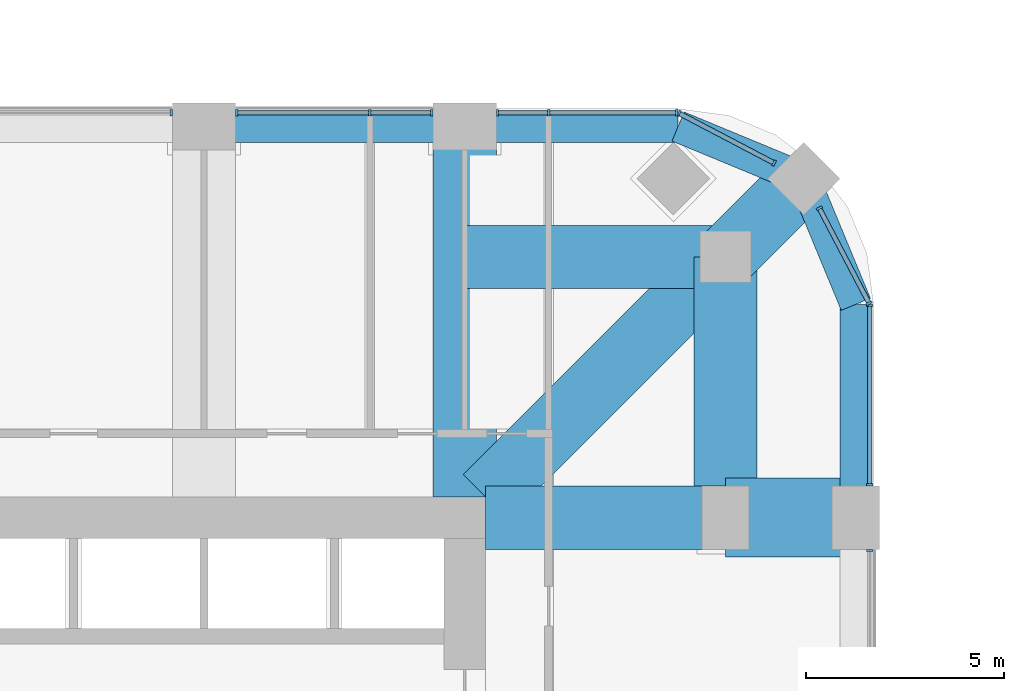
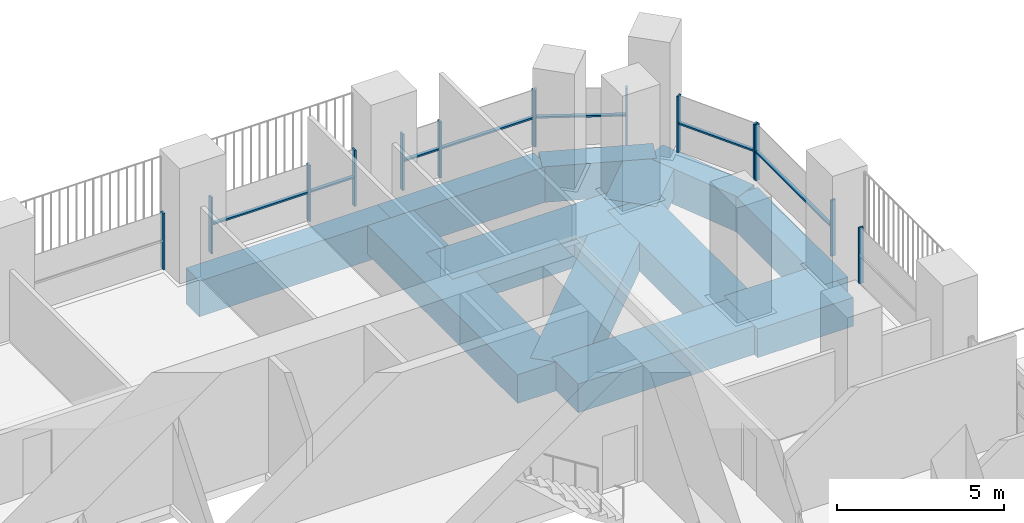
# One storey, part 7 of 20: 21 members, 12 beams, 7 elements without a shape of their own.
"""IFC4 building model written with IfcOpenShell, lengths in metres."""

from ifc_helpers import new_model, si_unit, direction, frame, origin, origin_2d, place, context, subcontext, project, spatial, rectangle, extrude, material, material_profile, profile_set, type_object, element, aggregate, save


model = new_model("IFC4")

# Units and contexts
model_context = context("Model", 3, precision=1e-05, world=origin(), true_north=direction((0.0, 1.0)))
body_context = subcontext(model_context, "Body", "Model", "MODEL_VIEW")
ifc_project = project(units=[si_unit("LENGTHUNIT", "METRE"), si_unit("AREAUNIT", "SQUARE_METRE"), si_unit("VOLUMEUNIT", "CUBIC_METRE"), si_unit("PLANEANGLEUNIT", "RADIAN"), si_unit("MASSUNIT", "GRAM", prefix="KILO")], contexts=[model_context])

# Site, building, storey
site_placement = place(None, origin())
site = spatial("IfcSite", under=ifc_project, at=site_placement, CompositionType="ELEMENT")
building_placement = place(site_placement, origin())
building = spatial("IfcBuilding", under=site, at=building_placement, Name="Cobogo Forest Laboratory Tower", CompositionType="ELEMENT")
storey_placement = place(building_placement, frame((0.0, 0.0, 218.699951171875)))
storey = spatial("IfcBuildingStorey", under=building, at=storey_placement, Name="L50", CompositionType="ELEMENT", Elevation=218.699951171875)

# Beams
ifc_material_1 = material(Name="Concrete HA-50 (C50/60)", Category="concrete")
ifc_material_profile_1 = material_profile(ifc_material_1, rectangle(XDim=2.0, YDim=1.050048828125, at=origin_2d()), Name="RC 2000x1050")
ifc_profile_set_1 = profile_set([ifc_material_profile_1], Name="Concrete HA-50 (C50/60)")
beam_type_1 = type_object("IfcBeamType", Name="End-bay wide beam 2000x1050", PredefinedType="BEAM", material=ifc_profile_set_1)
beam_1_placement = place(storey_placement, frame((49.5, 33.0, -0.824951171875), z_axis=(-1.0, 0.0, 0.0), x_axis=(0.0, -1.0, 0.0)))
element("IfcBeam", 1, at=beam_1_placement, inside=storey, type_object=beam_type_1, Name="RB7 R-F-E-X L50", PredefinedType="BEAM", context=body_context, shape_type="SweptSolid", body=[
    extrude(rectangle(XDim=2.0, YDim=1.050048828125, at=origin_2d()), origin(), (0.0, 0.0, 1.0), 3.300048828125),
])
ifc_material_profile_2 = material_profile(ifc_material_1, rectangle(XDim=1.60009765625, YDim=1.050048828125, at=origin_2d()), Name="RC 1600x1050")
ifc_profile_set_2 = profile_set([ifc_material_profile_2], Name="Concrete HA-50 (C50/60)")
beam_type_2 = type_object("IfcBeamType", Name="Laboratory floor wide beam 1600x1050", PredefinedType="BEAM", material=ifc_profile_set_2)
beam_2_placement = place(storey_placement, frame((39.60009765625, 33.52490234375, -0.824951171875), z_axis=(0.0, 1.0, 0.0), x_axis=(-1.0, 0.0, 0.0)))
element("IfcBeam", 2, at=beam_2_placement, inside=storey, type_object=beam_type_2, Name="RB8 R-7-N L50", PredefinedType="BEAM", context=body_context, shape_type="SweptSolid", body=[
    extrude(rectangle(XDim=1.60009765625, YDim=1.050048828125, at=origin_2d()), origin(), (0.0, 0.0, 1.0), 9.375),
])
beam_3_placement = place(storey_placement, frame((40.125, 33.0, -0.824951171875), z_axis=(1.0, 0.0, 0.0), x_axis=(0.0, 1.0, 0.0)))
element("IfcBeam", 3, at=beam_3_placement, inside=storey, type_object=beam_type_2, Name="RB8 R-F-E L50", PredefinedType="BEAM", context=body_context, shape_type="SweptSolid", body=[
    extrude(rectangle(XDim=1.60009765625, YDim=1.050048828125, at=origin_2d()), origin(), (0.0, 0.0, 1.0), 6.074951171875),
])
beam_4_placement = place(storey_placement, frame((46.199951171875, 39.60009765625, -0.824951171875), z_axis=(0.0, -1.0, 0.0), x_axis=(1.0, 0.0, 0.0)))
element("IfcBeam", 4, at=beam_4_placement, inside=storey, type_object=beam_type_2, Name="RB8 G-NE-XC L50", PredefinedType="BEAM", context=body_context, shape_type="SweptSolid", body=[
    extrude(rectangle(XDim=1.60009765625, YDim=1.050048828125, at=origin_2d()), origin(), (0.0, 0.0, 1.0), 6.60009765625),
])
beam_5_placement = place(storey_placement, frame((46.199951171875, 39.60009765625, -0.824951171875), z_axis=(-1.0, 0.0, 0.0), x_axis=(0.0, -1.0, 0.0)))
element("IfcBeam", 5, at=beam_5_placement, inside=storey, type_object=beam_type_2, Name="RB8 G-NE-YC L50", PredefinedType="BEAM", context=body_context, shape_type="SweptSolid", body=[
    extrude(rectangle(XDim=1.60009765625, YDim=1.050048828125, at=origin_2d()), origin(), (0.0, 0.0, 1.0), 6.599853515625),
])
beam_6_placement = place(storey_placement, frame((48.181884765625, 41.58203125, -0.824951171875), z_axis=(-0.707106781187, -0.707106781187, 0.0), x_axis=(0.707106781187, -0.707106781187, 0.0)))
element("IfcBeam", 6, at=beam_6_placement, inside=storey, type_object=beam_type_2, Name="RB8 G-NE-D1 L50", PredefinedType="BEAM", context=body_context, shape_type="SweptSolid", body=[
    extrude(rectangle(XDim=1.60009765625, YDim=1.050048828125, at=origin_2d()), origin(), (0.0, 0.0, 1.0), 2.802978515625),
])
beam_7_placement = place(storey_placement, frame((46.199951171875, 39.60009765625, -0.824951171875), z_axis=(-0.707092572697, -0.70712098939, 0.0), x_axis=(0.70712098939, -0.707092572697, 0.0)))
element("IfcBeam", 7, at=beam_7_placement, inside=storey, type_object=beam_type_2, Name="RB8 G-NE-D2 L50", PredefinedType="BEAM", context=body_context, shape_type="SweptSolid", body=[
    extrude(rectangle(XDim=1.60009765625, YDim=1.050048828125, at=origin_2d()), origin(), (0.0, 0.0, 1.0), 8.591552734375),
])

# Curtain wall, member
ifc_material_2 = material(Name="Aluminium curtain wall", Category="aluminium")
curtain_wall_type = type_object("IfcCurtainWallType", Name="CW-2 unitised curtain wall, solar control glazing, laboratory floors zones C and D", PredefinedType="USERDEFINED", material=ifc_material_2)
curtain_wall_1_placement = place(storey_placement, origin())
curtain_wall_1 = element("IfcCurtainWall", 8, at=curtain_wall_1_placement, inside=storey, type_object=curtain_wall_type, Name="Curtain wall 12 L50", ObjectType="UNITISED CURTAIN WALL", PredefinedType="USERDEFINED")
ifc_material_3 = material(Name="Aluminium mullion", Category="aluminium")
ifc_material_profile_3 = material_profile(ifc_material_3, rectangle(XDim=0.06005859375, YDim=0.159912109375, at=origin_2d()), Name="AL 60x160")
ifc_profile_set_3 = profile_set([ifc_material_profile_3], Name="Aluminium mullion")
member_type_1 = type_object("IfcMemberType", Name="MU-1 aluminium mullion 60x160", PredefinedType="MULLION", material=ifc_profile_set_3)
member_1_placement = place(storey_placement, frame((49.85009765625, 32.169921875, 0.0), z_axis=(0.0, 0.0, 1.0), x_axis=(0.0, 1.0, 0.0)))
member_1 = element("IfcMember", 9, at=member_1_placement, type_object=member_type_1, Name="CW-2 mullion 2", PredefinedType="MULLION", context=body_context, shape_type="SweptSolid", body=[
    extrude(rectangle(XDim=0.06005859375, YDim=0.159912109375, at=origin_2d()), origin(), (0.0, 0.0, 1.0), 2.050048828125),
])
aggregate(curtain_wall_1, [member_1])

# Curtain wall, members
curtain_wall_2_placement = place(storey_placement, origin())
curtain_wall_2 = element("IfcCurtainWall", 10, at=curtain_wall_2_placement, inside=storey, type_object=curtain_wall_type, Name="Curtain wall 13 L50", ObjectType="UNITISED CURTAIN WALL", PredefinedType="USERDEFINED")
member_2_placement = place(storey_placement, frame((49.85009765625, 33.830078125, 0.0), z_axis=(0.0, 0.0, 1.0), x_axis=(0.0, 1.0, 0.0)))
member_2 = element("IfcMember", 11, at=member_2_placement, type_object=member_type_1, Name="CW-2 mullion 1", PredefinedType="MULLION", context=body_context, shape_type="SweptSolid", body=[
    extrude(rectangle(XDim=0.06005859375, YDim=0.159912109375, at=origin_2d()), origin(), (0.0, 0.0, 1.0), 2.050048828125),
])
member_3_placement = place(storey_placement, frame((49.85009765625, 38.3701171875, 0.0), z_axis=(0.0, 0.0, 1.0), x_axis=(0.0, 1.0, 0.0)))
member_3 = element("IfcMember", 12, at=member_3_placement, type_object=member_type_1, Name="CW-2 mullion 2", PredefinedType="MULLION", context=body_context, shape_type="SweptSolid", body=[
    extrude(rectangle(XDim=0.06005859375, YDim=0.159912109375, at=origin_2d()), origin(), (0.0, 0.0, 1.0), 2.050048828125),
])

curtain_wall_3_placement = place(storey_placement, origin())
curtain_wall_3 = element("IfcCurtainWall", 13, at=curtain_wall_3_placement, inside=storey, type_object=curtain_wall_type, Name="Curtain wall 14 L50", ObjectType="UNITISED CURTAIN WALL", PredefinedType="USERDEFINED")
member_4_placement = place(storey_placement, frame((49.836181640625, 38.426513671875, 0.0), z_axis=(0.0, 0.0, 1.0), x_axis=(-0.464283685186, 0.885686547075, 0.0)))
member_4 = element("IfcMember", 14, at=member_4_placement, type_object=member_type_1, Name="CW-2 mullion 1", PredefinedType="MULLION", context=body_context, shape_type="SweptSolid", body=[
    extrude(rectangle(XDim=0.06005859375, YDim=0.159912109375, at=origin_2d()), origin(), (0.0, 0.0, 1.0), 2.050048828125),
])
member_5_placement = place(storey_placement, frame((48.5751953125, 40.831787109375, 0.0), z_axis=(0.0, 0.0, 1.0), x_axis=(-0.464283685186, 0.885686547075, 0.0)))
member_5 = element("IfcMember", 15, at=member_5_placement, type_object=member_type_1, Name="CW-2 mullion 2", PredefinedType="MULLION", context=body_context, shape_type="SweptSolid", body=[
    extrude(rectangle(XDim=0.06005859375, YDim=0.159912109375, at=origin_2d()), origin(), (0.0, 0.0, 1.0), 2.050048828125),
])

curtain_wall_4_placement = place(storey_placement, origin())
curtain_wall_4 = element("IfcCurtainWall", 16, at=curtain_wall_4_placement, inside=storey, type_object=curtain_wall_type, Name="Curtain wall 15 L50", ObjectType="UNITISED CURTAIN WALL", PredefinedType="USERDEFINED")
member_6_placement = place(storey_placement, frame((47.431640625, 41.975341796875, 0.0), z_axis=(0.0, 0.0, 1.0), x_axis=(-0.885686547075, 0.464283685186, 0.0)))
member_6 = element("IfcMember", 17, at=member_6_placement, type_object=member_type_1, Name="CW-2 mullion 1", PredefinedType="MULLION", context=body_context, shape_type="SweptSolid", body=[
    extrude(rectangle(XDim=0.06005859375, YDim=0.159912109375, at=origin_2d()), origin(), (0.0, 0.0, 1.0), 2.050048828125),
])
member_7_placement = place(storey_placement, frame((45.026611328125, 43.236083984375, 0.0), z_axis=(0.0, 0.0, 1.0), x_axis=(-0.885686547075, 0.464283685186, 0.0)))
member_7 = element("IfcMember", 18, at=member_7_placement, type_object=member_type_1, Name="CW-2 mullion 2", PredefinedType="MULLION", context=body_context, shape_type="SweptSolid", body=[
    extrude(rectangle(XDim=0.06005859375, YDim=0.159912109375, at=origin_2d()), origin(), (0.0, 0.0, 1.0), 2.050048828125),
])

curtain_wall_5_placement = place(storey_placement, origin())
curtain_wall_5 = element("IfcCurtainWall", 19, at=curtain_wall_5_placement, inside=storey, type_object=curtain_wall_type, Name="Curtain wall 16 L50", ObjectType="UNITISED CURTAIN WALL", PredefinedType="USERDEFINED")
member_8_placement = place(storey_placement, frame((44.969970703125, 43.25, 0.0), z_axis=(0.0, 0.0, 1.0), x_axis=(-1.0, 0.0, 0.0)))
member_8 = element("IfcMember", 20, at=member_8_placement, type_object=member_type_1, Name="CW-2 mullion 1", PredefinedType="MULLION", context=body_context, shape_type="SweptSolid", body=[
    extrude(rectangle(XDim=0.06005859375, YDim=0.159912109375, at=origin_2d()), origin(), (0.0, 0.0, 1.0), 2.050048828125),
])
member_9_placement = place(storey_placement, frame((41.72509765625, 43.25, 0.0), z_axis=(0.0, 0.0, 1.0), x_axis=(-1.0, 0.0, 0.0)))
member_9 = element("IfcMember", 21, at=member_9_placement, type_object=member_type_1, Name="CW-2 mullion 2", PredefinedType="MULLION", context=body_context, shape_type="SweptSolid", body=[
    extrude(rectangle(XDim=0.06005859375, YDim=0.159912109375, at=origin_2d()), origin(), (0.0, 0.0, 1.0), 2.050048828125),
])
member_10_placement = place(storey_placement, frame((40.429931640625, 43.25, 0.0), z_axis=(0.0, 0.0, 1.0), x_axis=(-1.0, 0.0, 0.0)))
member_10 = element("IfcMember", 22, at=member_10_placement, type_object=member_type_1, Name="CW-2 mullion 3", PredefinedType="MULLION", context=body_context, shape_type="SweptSolid", body=[
    extrude(rectangle(XDim=0.06005859375, YDim=0.159912109375, at=origin_2d()), origin(), (0.0, 0.0, 1.0), 2.050048828125),
])

curtain_wall_6_placement = place(storey_placement, origin())
curtain_wall_6 = element("IfcCurtainWall", 23, at=curtain_wall_6_placement, inside=storey, type_object=curtain_wall_type, Name="Curtain wall 17 L50", ObjectType="UNITISED CURTAIN WALL", PredefinedType="USERDEFINED")
member_11_placement = place(storey_placement, frame((38.77001953125, 43.25, 0.0), z_axis=(0.0, 0.0, 1.0), x_axis=(-1.0, 0.0, 0.0)))
member_11 = element("IfcMember", 24, at=member_11_placement, type_object=member_type_1, Name="CW-2 mullion 1", PredefinedType="MULLION", context=body_context, shape_type="SweptSolid", body=[
    extrude(rectangle(XDim=0.06005859375, YDim=0.159912109375, at=origin_2d()), origin(), (0.0, 0.0, 1.0), 2.050048828125),
])
member_12_placement = place(storey_placement, frame((37.199951171875, 43.25, 0.0), z_axis=(0.0, 0.0, 1.0), x_axis=(-1.0, 0.0, 0.0)))
member_12 = element("IfcMember", 25, at=member_12_placement, type_object=member_type_1, Name="CW-2 mullion 2", PredefinedType="MULLION", context=body_context, shape_type="SweptSolid", body=[
    extrude(rectangle(XDim=0.06005859375, YDim=0.159912109375, at=origin_2d()), origin(), (0.0, 0.0, 1.0), 2.050048828125),
])
member_13_placement = place(storey_placement, frame((33.830078125, 43.25, 0.0), z_axis=(0.0, 0.0, 1.0), x_axis=(-1.0, 0.0, 0.0)))
member_13 = element("IfcMember", 26, at=member_13_placement, type_object=member_type_1, Name="CW-2 mullion 3", PredefinedType="MULLION", context=body_context, shape_type="SweptSolid", body=[
    extrude(rectangle(XDim=0.06005859375, YDim=0.159912109375, at=origin_2d()), origin(), (0.0, 0.0, 1.0), 2.050048828125),
])

# Curtain wall, member
curtain_wall_7_placement = place(storey_placement, origin())
curtain_wall_7 = element("IfcCurtainWall", 27, at=curtain_wall_7_placement, inside=storey, type_object=curtain_wall_type, Name="Curtain wall 18 L50", ObjectType="UNITISED CURTAIN WALL", PredefinedType="USERDEFINED")
member_14_placement = place(storey_placement, frame((32.169921875, 43.25, 0.0), z_axis=(0.0, 0.0, 1.0), x_axis=(-1.0, 0.0, 0.0)))
member_14 = element("IfcMember", 28, at=member_14_placement, type_object=member_type_1, Name="CW-2 mullion 1", PredefinedType="MULLION", context=body_context, shape_type="SweptSolid", body=[
    extrude(rectangle(XDim=0.06005859375, YDim=0.159912109375, at=origin_2d()), origin(), (0.0, 0.0, 1.0), 2.050048828125),
])
aggregate(curtain_wall_7, [member_14])

# Beams
ifc_material_4 = material(Name="Concrete HA-40 (C40/50)", Category="concrete")
ifc_material_profile_4 = material_profile(ifc_material_4, rectangle(XDim=0.800048828125, YDim=1.300048828125, at=origin_2d()), Name="RC 800x1300")
ifc_profile_set_4 = profile_set([ifc_material_profile_4], Name="Concrete HA-40 (C40/50)")
beam_type_3 = type_object("IfcBeamType", Name="Perimeter edge beam 800x1300", PredefinedType="BEAM", material=ifc_profile_set_4)
beam_8_placement = place(storey_placement, frame((33.0, 42.89990234375, -0.949951171875), z_axis=(1.0, 0.0, 0.0), x_axis=(0.0, 1.0, 0.0)))
element("IfcBeam", 29, at=beam_8_placement, inside=storey, type_object=beam_type_3, Name="EB2 E-N4 L50", PredefinedType="BEAM", context=body_context, shape_type="SweptSolid", body=[
    extrude(rectangle(XDim=0.800048828125, YDim=1.300048828125, at=origin_2d()), origin(), (0.0, 0.0, 1.0), 6.60009765625),
])
beam_9_placement = place(storey_placement, frame((49.5, 33.0, -0.949951171875), z_axis=(0.0, 1.0, 0.0), x_axis=(-1.0, 0.0, 0.0)))
element("IfcBeam", 30, at=beam_9_placement, inside=storey, type_object=beam_type_3, Name="EB2 E-NEE1 L50", PredefinedType="BEAM", context=body_context, shape_type="SweptSolid", body=[
    extrude(rectangle(XDim=0.800048828125, YDim=1.300048828125, at=origin_2d()), origin(), (0.0, 0.0, 1.0), 5.39990234375),
])
beam_10_placement = place(storey_placement, frame((49.5, 38.39990234375, -0.949951171875), z_axis=(-0.382691928466, 0.923876013265, 0.0), x_axis=(-0.923876013265, -0.382691928466, 0.0)))
element("IfcBeam", 31, at=beam_10_placement, inside=storey, type_object=beam_type_3, Name="EB2 E-NEE2 L50", PredefinedType="BEAM", context=body_context, shape_type="SweptSolid", body=[
    extrude(rectangle(XDim=0.800048828125, YDim=1.300048828125, at=origin_2d()), origin(), (0.0, 0.0, 1.0), 3.4443359375),
])
beam_11_placement = place(storey_placement, frame((39.60009765625, 42.89990234375, -0.949951171875), z_axis=(1.0, 0.0, 0.0), x_axis=(0.0, 1.0, 0.0)))
element("IfcBeam", 32, at=beam_11_placement, inside=storey, type_object=beam_type_3, Name="EB2 E-NEN1 L50", PredefinedType="BEAM", context=body_context, shape_type="SweptSolid", body=[
    extrude(rectangle(XDim=0.800048828125, YDim=1.300048828125, at=origin_2d()), origin(), (0.0, 0.0, 1.0), 5.39990234375),
])
beam_12_placement = place(storey_placement, frame((45.0, 42.89990234375, -0.949951171875), z_axis=(0.923890694089, -0.382656484822, 0.0), x_axis=(0.382656484822, 0.923890694089, 0.0)))
element("IfcBeam", 33, at=beam_12_placement, inside=storey, type_object=beam_type_3, Name="EB2 E-NEN2 L50", PredefinedType="BEAM", context=body_context, shape_type="SweptSolid", body=[
    extrude(rectangle(XDim=0.800048828125, YDim=1.300048828125, at=origin_2d()), origin(), (0.0, 0.0, 1.0), 3.444091796875),
])

# Member
ifc_material_5 = material(Name="Aluminium transom", Category="aluminium")
ifc_material_profile_5 = material_profile(ifc_material_5, rectangle(XDim=0.1201171875, YDim=0.06005859375, at=origin_2d()), Name="AL 60x120")
ifc_profile_set_5 = profile_set([ifc_material_profile_5], Name="Aluminium transom")
member_type_2 = type_object("IfcMemberType", Name="TR-1 aluminium transom 60x120", PredefinedType="USERDEFINED", material=ifc_profile_set_5)
member_15_placement = place(storey_placement, frame((49.85009765625, 33.860107421875, 1.050048828125), z_axis=(0.0, 1.0, 0.0), x_axis=(-1.0, 0.0, 0.0)))
member_15 = element("IfcMember", 34, at=member_15_placement, type_object=member_type_2, Name="CW-2 transom 1.1", ObjectType="TRANSOM", PredefinedType="USERDEFINED", context=body_context, shape_type="SweptSolid", body=[
    extrude(rectangle(XDim=0.1201171875, YDim=0.06005859375, at=origin_2d()), origin(), (0.0, 0.0, 1.0), 4.47998046875),
])

aggregate(curtain_wall_2, [member_2, member_3, member_15])

member_16_placement = place(storey_placement, frame((49.822021484375, 38.453125, 1.050048828125), z_axis=(-0.464268054753, 0.885694740493, 0.0), x_axis=(-0.885694740493, -0.464268054753, 0.0)))
member_16 = element("IfcMember", 35, at=member_16_placement, type_object=member_type_2, Name="CW-2 transom 1.1", ObjectType="TRANSOM", PredefinedType="USERDEFINED", context=body_context, shape_type="SweptSolid", body=[
    extrude(rectangle(XDim=0.1201171875, YDim=0.06005859375, at=origin_2d()), origin(), (0.0, 0.0, 1.0), 2.655517578125),
])

aggregate(curtain_wall_3, [member_4, member_5, member_16])

member_17_placement = place(storey_placement, frame((47.405029296875, 41.9892578125, 1.050048828125), z_axis=(-0.885674922116, 0.464305860758, 0.0), x_axis=(-0.464305860758, -0.885674922116, 0.0)))
member_17 = element("IfcMember", 36, at=member_17_placement, type_object=member_type_2, Name="CW-2 transom 1.1", ObjectType="TRANSOM", PredefinedType="USERDEFINED", context=body_context, shape_type="SweptSolid", body=[
    extrude(rectangle(XDim=0.1201171875, YDim=0.06005859375, at=origin_2d()), origin(), (0.0, 0.0, 1.0), 2.6552734375),
])

aggregate(curtain_wall_4, [member_6, member_7, member_17])

member_18_placement = place(storey_placement, frame((44.93994140625, 43.25, 1.050048828125), z_axis=(-1.0, 0.0, 0.0), x_axis=(0.0, -1.0, 0.0)))
member_18 = element("IfcMember", 37, at=member_18_placement, type_object=member_type_2, Name="CW-2 transom 1.1", ObjectType="TRANSOM", PredefinedType="USERDEFINED", context=body_context, shape_type="SweptSolid", body=[
    extrude(rectangle(XDim=0.1201171875, YDim=0.06005859375, at=origin_2d()), origin(), (0.0, 0.0, 1.0), 3.18505859375),
])

member_19_placement = place(storey_placement, frame((41.695068359375, 43.25, 1.050048828125), z_axis=(-1.0, 0.0, 0.0), x_axis=(0.0, -1.0, 0.0)))
member_19 = element("IfcMember", 38, at=member_19_placement, type_object=member_type_2, Name="CW-2 transom 2.1", ObjectType="TRANSOM", PredefinedType="USERDEFINED", context=body_context, shape_type="SweptSolid", body=[
    extrude(rectangle(XDim=0.1201171875, YDim=0.06005859375, at=origin_2d()), origin(), (0.0, 0.0, 1.0), 1.235107421875),
])

aggregate(curtain_wall_5, [member_8, member_9, member_10, member_18, member_19])

member_20_placement = place(storey_placement, frame((38.739990234375, 43.25, 1.050048828125), z_axis=(-1.0, 0.0, 0.0), x_axis=(0.0, -1.0, 0.0)))
member_20 = element("IfcMember", 39, at=member_20_placement, type_object=member_type_2, Name="CW-2 transom 1.1", ObjectType="TRANSOM", PredefinedType="USERDEFINED", context=body_context, shape_type="SweptSolid", body=[
    extrude(rectangle(XDim=0.1201171875, YDim=0.06005859375, at=origin_2d()), origin(), (0.0, 0.0, 1.0), 1.510009765625),
])

member_21_placement = place(storey_placement, frame((37.169921875, 43.25, 1.050048828125), z_axis=(-1.0, 0.0, 0.0), x_axis=(0.0, -1.0, 0.0)))
member_21 = element("IfcMember", 40, at=member_21_placement, type_object=member_type_2, Name="CW-2 transom 2.1", ObjectType="TRANSOM", PredefinedType="USERDEFINED", context=body_context, shape_type="SweptSolid", body=[
    extrude(rectangle(XDim=0.1201171875, YDim=0.06005859375, at=origin_2d()), origin(), (0.0, 0.0, 1.0), 3.309814453125),
])

aggregate(curtain_wall_6, [member_11, member_12, member_13, member_20, member_21])

save(model, "model.ifc")
